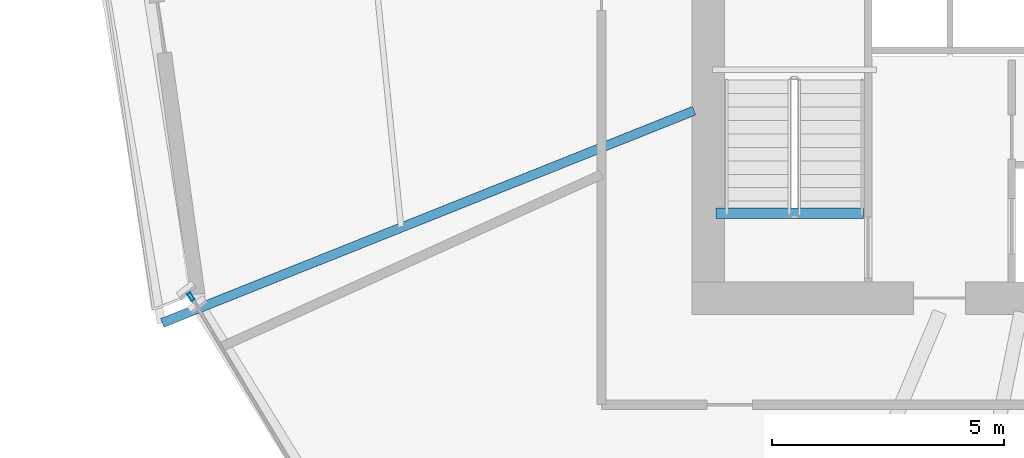
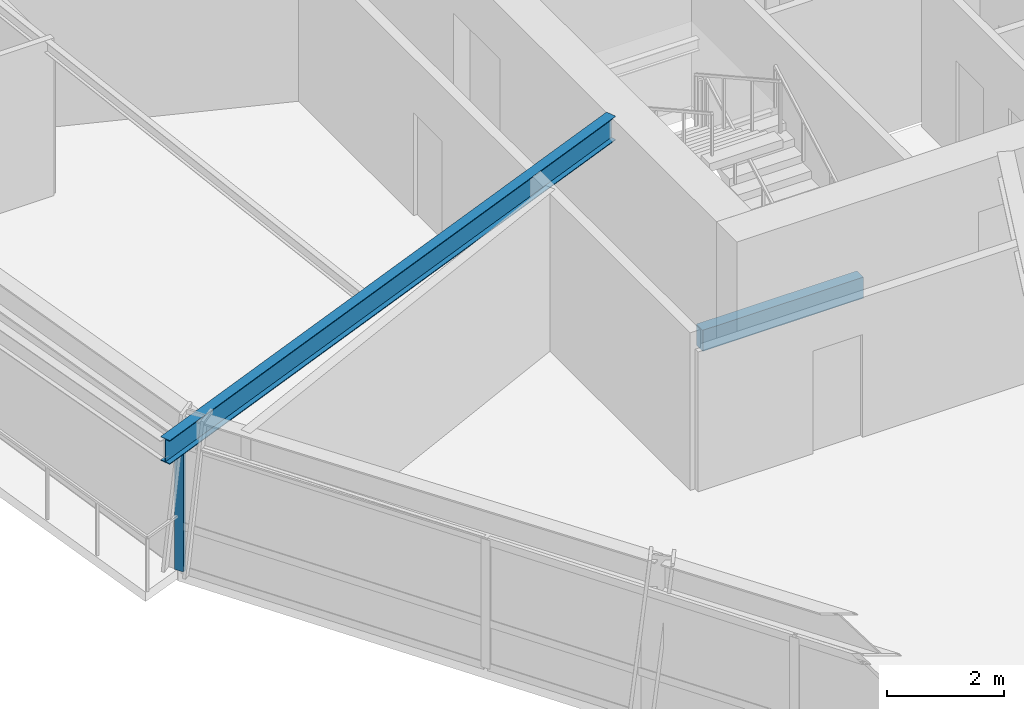
# One storey, part 4 of 18: 2 beams, 1 member, 1 element without a shape of its own.
"""IFC4 building model written with IfcOpenShell, lengths in metres."""

from ifc_helpers import new_model, si_unit, direction, frame, origin, origin_2d, place, context, subcontext, project, spatial, rectangle, hollow_rectangle, i_section, extrude, source, transform, mapped, material, material_profile, profile_set, type_object, element, aggregate, save


model = new_model("IFC4")

# Units and contexts
model_context = context("Model", 3, precision=1e-05, world=origin(), true_north=direction((0.0, 1.0)))
body_context = subcontext(model_context, "Body", "Model", "MODEL_VIEW")
ifc_project = project(units=[si_unit("LENGTHUNIT", "METRE"), si_unit("AREAUNIT", "SQUARE_METRE"), si_unit("VOLUMEUNIT", "CUBIC_METRE"), si_unit("PLANEANGLEUNIT", "RADIAN"), si_unit("MASSUNIT", "GRAM", prefix="KILO")], contexts=[model_context])

# Site, building, storey
site_placement = place(None, origin())
site = spatial("IfcSite", under=ifc_project, at=site_placement, CompositionType="ELEMENT")
building_placement = place(site_placement, origin())
building = spatial("IfcBuilding", under=site, at=building_placement, Name="Olszyna Solenne Hotel", CompositionType="ELEMENT")
storey_placement = place(building_placement, frame((0.0, 0.0, 119.89990234375)))
storey = spatial("IfcBuildingStorey", under=building, at=storey_placement, Name="L31", CompositionType="ELEMENT", Elevation=119.89990234375)

# Beam
ifc_material_1 = material(Name="Steel S355J2", Category="steel")
ifc_material_profile_1 = material_profile(ifc_material_1, i_section(OverallWidth=0.199951171875, OverallDepth=0.5, WebThickness=0.01025390625, FlangeThickness=0.01611328125, at=origin_2d()), Name="IPE 500", Category="load-bearing")
ifc_profile_set_1 = profile_set([ifc_material_profile_1], Name="Steel S355J2")
beam_type_1 = type_object("IfcBeamType", Name="BM-F3", PredefinedType="BEAM", material=ifc_profile_set_1)
shared_shape_1 = source(origin(), body_context, "Body", "SweptSolid", [
    extrude(i_section(OverallWidth=0.199951171875, OverallDepth=0.5, WebThickness=0.01025390625, FlangeThickness=0.01611328125, at=origin_2d()), origin(), (0.0, 0.0, 1.0), 12.35009765625),
])
beam_1_placement = place(storey_placement, frame((17.9755859375, 18.61376953125, 3.050048828125), z_axis=(0.928794007464, 0.370596400007, 0.0), x_axis=(-0.370596400007, 0.928794007464, 0.0)))
element("IfcBeam", 1, at=beam_1_placement, inside=storey, type_object=beam_type_1, Name="Radial floor girder BM-F3 B-L31-0944", PredefinedType="BEAM", context=body_context, shape_type="MappedRepresentation", body=[
    mapped(shared_shape_1, transform((0.0, 0.0, 0.0), x_axis=(1.0, 0.0, 0.0), y_axis=(0.0, 1.0, 0.0), z_axis=(0.0, 0.0, 1.0), scale=1.0)),
])

# Curtain wall, member
ifc_material_2 = material(Name="Anodised bronze aluminium", Category="aluminium")
curtain_wall_type = type_object("IfcCurtainWallType", Name="CW-SYS-3", PredefinedType="NOTDEFINED", material=ifc_material_2)
curtain_wall_placement = place(storey_placement, origin())
curtain_wall = element("IfcCurtainWall", 2, at=curtain_wall_placement, inside=storey, type_object=curtain_wall_type, Name="Unitised curtain wall CW-SYS-3 CW-L31-01", PredefinedType="NOTDEFINED")
ifc_material_profile_2 = material_profile(ifc_material_2, hollow_rectangle(XDim=0.074951171875, YDim=0.179931640625, WallThickness=0.00439453125, at=origin_2d()), Name="MULL 180x75x4.5", Category="load-bearing")
ifc_profile_set_2 = profile_set([ifc_material_profile_2], Name="Anodised bronze aluminium")
member_type = type_object("IfcMemberType", Name="CW-M2", PredefinedType="MULLION", material=ifc_profile_set_2)
shared_shape_2 = source(origin(), body_context, "Body", "SweptSolid", [
    extrude(hollow_rectangle(XDim=0.074951171875, YDim=0.179931640625, WallThickness=0.00439453125, at=origin_2d()), origin(), (0.0, 0.0, 1.0), 2.692138671875),
])
member_placement = place(storey_placement, frame((18.595458984375, 19.17822265625, 0.0), z_axis=(0.0, 0.0, 1.0), x_axis=(0.85693453502, 0.515425263923, 0.0)))
member = element("IfcMember", 3, at=member_placement, type_object=member_type, Name="Curtain-wall mullion CW-M2 CM-L31-01-01", PredefinedType="MULLION", context=body_context, shape_type="MappedRepresentation", body=[
    mapped(shared_shape_2, transform((0.0, 0.0, 0.0), x_axis=(1.0, 0.0, 0.0), y_axis=(0.0, 1.0, 0.0), z_axis=(0.0, 0.0, 1.0), scale=1.0)),
])
aggregate(curtain_wall, [member])

# Beam
ifc_material_3 = material(Name="Concrete C50/60", Category="concrete")
ifc_material_profile_3 = material_profile(ifc_material_3, rectangle(XDim=0.219970703125, YDim=0.43994140625, at=origin_2d()), Name="RC 220x440", Category="load-bearing")
ifc_profile_set_3 = profile_set([ifc_material_profile_3], Name="Concrete C50/60")
beam_type_2 = type_object("IfcBeamType", Name="BM-ST1", PredefinedType="BEAM", material=ifc_profile_set_3)
shared_shape_3 = source(origin(), body_context, "Body", "SweptSolid", [
    extrude(rectangle(XDim=0.219970703125, YDim=0.43994140625, at=origin_2d()), origin(), (0.0, 0.0, 1.0), 3.18017578125),
])
beam_2_placement = place(storey_placement, frame((33.10009765625, 20.97998046875, -0.204833984375), z_axis=(-1.0, 0.0, 0.0), x_axis=(0.0, -1.0, 0.0)))
element("IfcBeam", 4, at=beam_2_placement, inside=storey, type_object=beam_type_2, Name="Concrete stair trimmer beam BM-ST1 SHB-ST1-0193", PredefinedType="BEAM", context=body_context, shape_type="MappedRepresentation", body=[
    mapped(shared_shape_3, transform((0.0, 0.0, 0.0), x_axis=(1.0, 0.0, 0.0), y_axis=(0.0, 1.0, 0.0), z_axis=(0.0, 0.0, 1.0), scale=1.0)),
])

save(model, "model.ifc")
